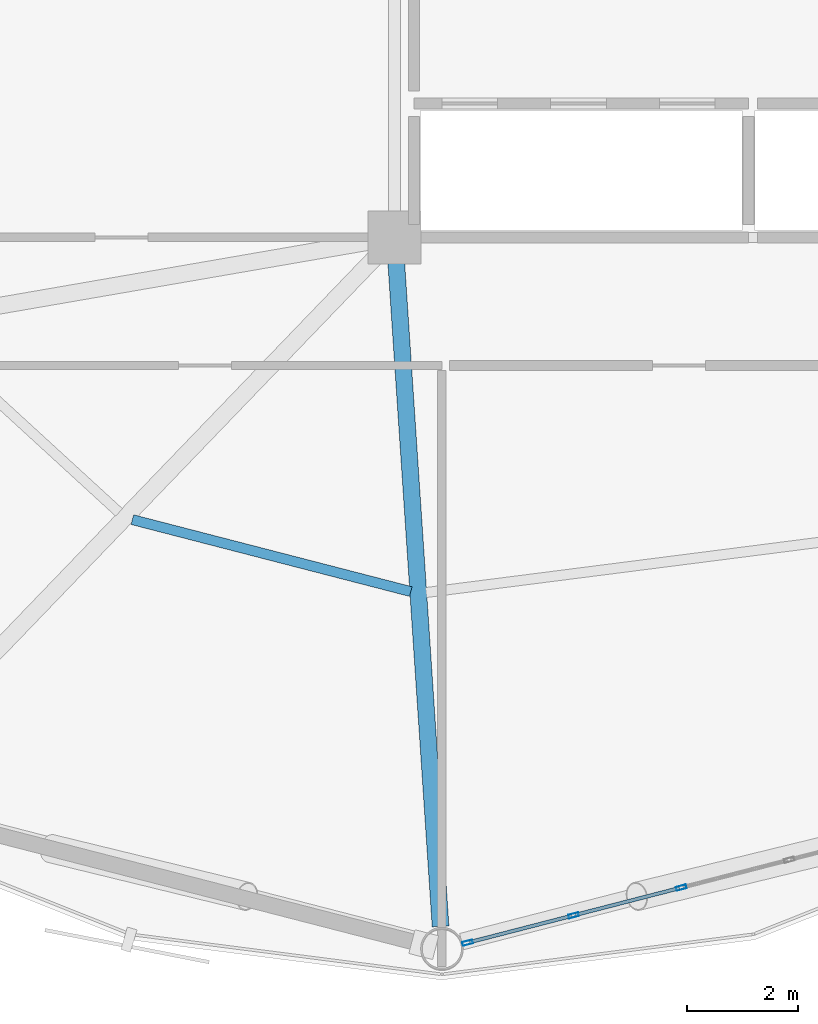
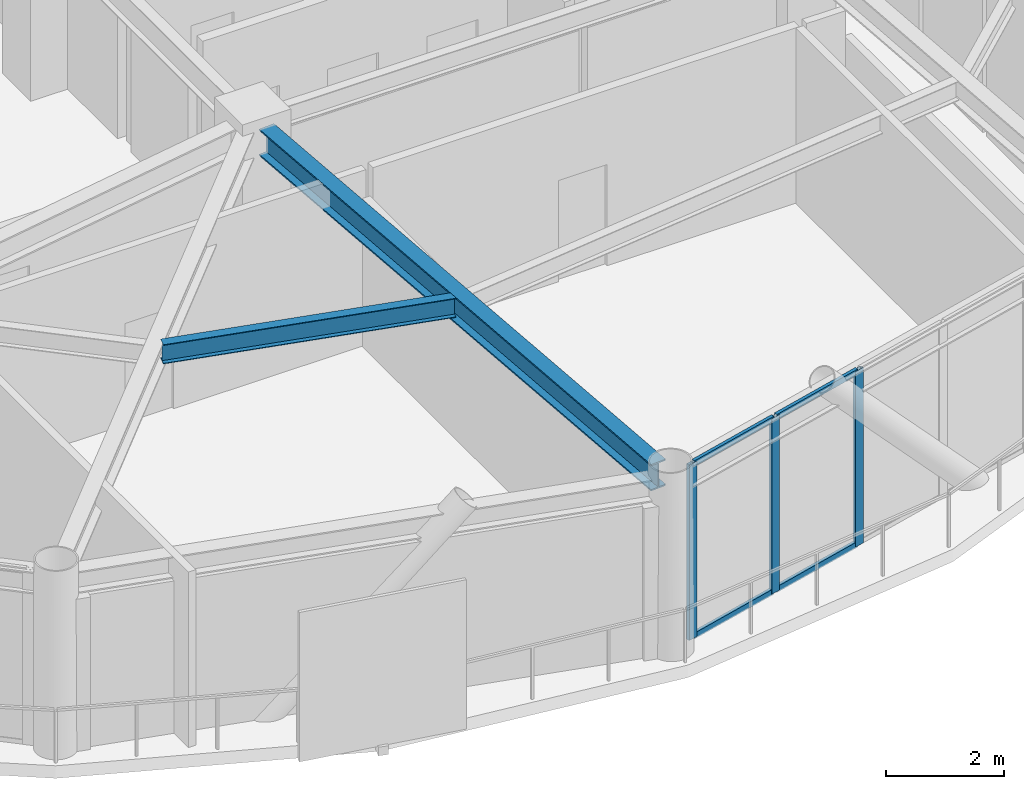
# One storey, part 6 of 25: 7 members, 2 beams, 1 element without a shape of its own.
"""IFC4 building model written with IfcOpenShell, lengths in metres."""

from ifc_helpers import new_model, si_unit, direction, frame, origin, origin_2d, place, context, subcontext, project, spatial, hollow_rectangle, i_section, extrude, material, layer, layer_set, material_profile, profile_set, type_object, element, aggregate, save


model = new_model("IFC4")

# Units and contexts
model_context = context("Model", 3, precision=1e-05, world=origin(), true_north=direction((0.0, 1.0)))
body_context = subcontext(model_context, "Body", "Model", "MODEL_VIEW")
ifc_project = project(units=[si_unit("LENGTHUNIT", "METRE"), si_unit("AREAUNIT", "SQUARE_METRE"), si_unit("VOLUMEUNIT", "CUBIC_METRE"), si_unit("PLANEANGLEUNIT", "RADIAN"), si_unit("MASSUNIT", "GRAM", prefix="KILO")], contexts=[model_context])

# Site, building, storey
site_placement = place(None, origin())
site = spatial("IfcSite", under=ifc_project, at=site_placement, CompositionType="ELEMENT")
building_placement = place(site_placement, origin())
building = spatial("IfcBuilding", under=site, at=building_placement, Name="Varnakorn Sky Granary", CompositionType="ELEMENT")
storey_placement = place(building_placement, frame((0.0, 0.0, 126.60009765625)))
storey = spatial("IfcBuildingStorey", under=building, at=storey_placement, Name="L31", CompositionType="ELEMENT", Elevation=126.60009765625)

# Beams
ifc_material_1 = material(Name="Steel S355JR", Category="steel")
ifc_material_profile_1 = material_profile(ifc_material_1, i_section(OverallWidth=0.300048828125, OverallDepth=0.550048828125, WebThickness=0.014892578125, FlangeThickness=0.029052734375, at=origin_2d()), Name="HE 550 B")
ifc_profile_set_1 = profile_set([ifc_material_profile_1], Name="Steel S355JR")
beam_type_1 = type_object("IfcBeamType", Name="BM-RAD-Z3", PredefinedType="BEAM", material=ifc_profile_set_1)
beam_1_placement = place(storey_placement, frame((-2.322021484375, -7.01904296875, 3.364990234375), z_axis=(0.066643570341, -0.997776846059, 0.0), x_axis=(0.997776846059, 0.066643570341, 0.0)))
element("IfcBeam", 1, at=beam_1_placement, inside=storey, type_object=beam_type_1, Name="Radial Floor Girder RG10 L31", PredefinedType="BEAM", context=body_context, shape_type="SweptSolid", body=[
    extrude(i_section(OverallWidth=0.300048828125, OverallDepth=0.550048828125, WebThickness=0.014892578125, FlangeThickness=0.029052734375, at=origin_2d()), origin(), (0.0, 0.0, 1.0), 11.96826171875),
])
ifc_material_profile_2 = material_profile(ifc_material_1, i_section(OverallWidth=0.179931640625, OverallDepth=0.39990234375, WebThickness=0.008544921875, FlangeThickness=0.013427734375, at=origin_2d()), Name="IPE 400")
ifc_profile_set_2 = profile_set([ifc_material_profile_2], Name="Steel S355JR")
beam_type_2 = type_object("IfcBeamType", Name="BM-SEC-Z3", PredefinedType="BEAM", material=ifc_profile_set_2)
beam_2_placement = place(storey_placement, frame((-7.0537109375, -11.66455078125, 3.43994140625), z_axis=(0.968220049514, -0.250099851499, 0.0), x_axis=(0.250099851499, 0.968220049514, 0.0)))
element("IfcBeam", 2, at=beam_2_placement, inside=storey, type_object=beam_type_2, Name="Secondary Floor Chord Beam MSB09 L31", PredefinedType="BEAM", context=body_context, shape_type="SweptSolid", body=[
    extrude(i_section(OverallWidth=0.179931640625, OverallDepth=0.39990234375, WebThickness=0.008544921875, FlangeThickness=0.013427734375, at=origin_2d()), origin(), (0.0, 0.0, 1.0), 5.1591796875),
])

# Curtain wall, members
ifc_material_2 = material(Name="Anodised Bronze Aluminium Alloy 6063-T6", Category="aluminium")
ifc_layer = layer(ifc_material_2, 0.179931640625, Name="Anodised Bronze Aluminium Alloy 6063-T6")
ifc_layer_set = layer_set([ifc_layer], Name="Anodised Bronze Aluminium Alloy 6063-T6")
curtain_wall_type = type_object("IfcCurtainWallType", Name="CW-FRM-2", PredefinedType="USERDEFINED", material=ifc_layer_set)
curtain_wall_placement = place(storey_placement, origin())
curtain_wall = element("IfcCurtainWall", 3, at=curtain_wall_placement, inside=storey, type_object=curtain_wall_type, Name="Unitised Curtain Wall CW4 CW-L31-B10", ObjectType="CURTAIN WALL", PredefinedType="USERDEFINED")
ifc_material_profile_3 = material_profile(ifc_material_2, hollow_rectangle(XDim=0.070068359375, YDim=0.18505859375, WallThickness=0.00390625, at=origin_2d()), Name="ALU MULL 70x185")
ifc_profile_set_3 = profile_set([ifc_material_profile_3], Name="Anodised Bronze Aluminium Alloy 6063-T6")
member_type_1 = type_object("IfcMemberType", Name="CW-FRM-2-MULL", PredefinedType="MULLION", material=ifc_profile_set_3)
member_1_placement = place(storey_placement, frame((2.794921875, -18.26708984375, 0.0), z_axis=(0.0, 0.0, 1.0), x_axis=(0.249579081692, -0.968354419612, 0.0)))
member_1 = element("IfcMember", 4, at=member_1_placement, type_object=member_type_1, Name="CW4 mullion 4", PredefinedType="MULLION", context=body_context, shape_type="SweptSolid", body=[
    extrude(hollow_rectangle(XDim=0.070068359375, YDim=0.18505859375, WallThickness=0.00390625, at=origin_2d()), origin(), (0.0, 0.0, 1.0), 3.639892578125),
])
member_2_placement = place(storey_placement, frame((0.861083984375, -18.765380859375, 0.0), z_axis=(0.0, 0.0, 1.0), x_axis=(0.249579081692, -0.968354419612, 0.0)))
member_2 = element("IfcMember", 5, at=member_2_placement, type_object=member_type_1, Name="CW4 mullion 5", PredefinedType="MULLION", context=body_context, shape_type="SweptSolid", body=[
    extrude(hollow_rectangle(XDim=0.070068359375, YDim=0.18505859375, WallThickness=0.00390625, at=origin_2d()), origin(), (0.0, 0.0, 1.0), 3.639892578125),
])
member_3_placement = place(storey_placement, frame((-1.0390625, -19.255126953125, 0.0), z_axis=(0.0, 0.0, 1.0), x_axis=(0.249579081692, -0.968354419612, 0.0)))
member_3 = element("IfcMember", 6, at=member_3_placement, type_object=member_type_1, Name="CW4 mullion 6", PredefinedType="MULLION", context=body_context, shape_type="SweptSolid", body=[
    extrude(hollow_rectangle(XDim=0.070068359375, YDim=0.18505859375, WallThickness=0.00390625, at=origin_2d()), origin(), (0.0, 0.0, 1.0), 3.639892578125),
])
ifc_material_profile_4 = material_profile(ifc_material_2, hollow_rectangle(XDim=0.06494140625, YDim=0.1201171875, WallThickness=0.00341796875, at=origin_2d()), Name="ALU TRAN 65x120")
ifc_profile_set_4 = profile_set([ifc_material_profile_4], Name="Anodised Bronze Aluminium Alloy 6063-T6")
member_type_2 = type_object("IfcMemberType", Name="CW-FRM-2-TRAN", PredefinedType="USERDEFINED", material=ifc_profile_set_4)
member_4_placement = place(storey_placement, frame((2.760986328125, -18.275634765625, 0.032470703125), z_axis=(-0.968358349316, -0.249563834138, 0.0), x_axis=(0.249563834138, -0.968358349316, 0.0)))
member_4 = element("IfcMember", 7, at=member_4_placement, type_object=member_type_2, Name="CW4 transom 4.1", ObjectType="TRANSOM", PredefinedType="USERDEFINED", context=body_context, shape_type="SweptSolid", body=[
    extrude(hollow_rectangle(XDim=0.06494140625, YDim=0.1201171875, WallThickness=0.00341796875, at=origin_2d()), origin(), (0.0, 0.0, 1.0), 1.92724609375),
])
member_5_placement = place(storey_placement, frame((2.760986328125, -18.275634765625, 3.607421875), z_axis=(-0.968358349316, -0.249563834138, 0.0), x_axis=(0.249563834138, -0.968358349316, 0.0)))
member_5 = element("IfcMember", 8, at=member_5_placement, type_object=member_type_2, Name="CW4 transom 4.2", ObjectType="TRANSOM", PredefinedType="USERDEFINED", context=body_context, shape_type="SweptSolid", body=[
    extrude(hollow_rectangle(XDim=0.06494140625, YDim=0.1201171875, WallThickness=0.00341796875, at=origin_2d()), origin(), (0.0, 0.0, 1.0), 1.92724609375),
])
member_6_placement = place(storey_placement, frame((0.8271484375, -18.774169921875, 0.032470703125), z_axis=(-0.968363872442, -0.249542402306, 0.0), x_axis=(0.249542402306, -0.968363872442, 0.0)))
member_6 = element("IfcMember", 9, at=member_6_placement, type_object=member_type_2, Name="CW4 transom 5.1", ObjectType="TRANSOM", PredefinedType="USERDEFINED", context=body_context, shape_type="SweptSolid", body=[
    extrude(hollow_rectangle(XDim=0.06494140625, YDim=0.1201171875, WallThickness=0.00341796875, at=origin_2d()), origin(), (0.0, 0.0, 1.0), 1.89208984375),
])
member_7_placement = place(storey_placement, frame((0.8271484375, -18.774169921875, 3.607421875), z_axis=(-0.968363872442, -0.249542402306, 0.0), x_axis=(0.249542402306, -0.968363872442, 0.0)))
member_7 = element("IfcMember", 10, at=member_7_placement, type_object=member_type_2, Name="CW4 transom 5.2", ObjectType="TRANSOM", PredefinedType="USERDEFINED", context=body_context, shape_type="SweptSolid", body=[
    extrude(hollow_rectangle(XDim=0.06494140625, YDim=0.1201171875, WallThickness=0.00341796875, at=origin_2d()), origin(), (0.0, 0.0, 1.0), 1.89208984375),
])
aggregate(curtain_wall, [member_1, member_2, member_3, member_4, member_5, member_6, member_7])

save(model, "model.ifc")
